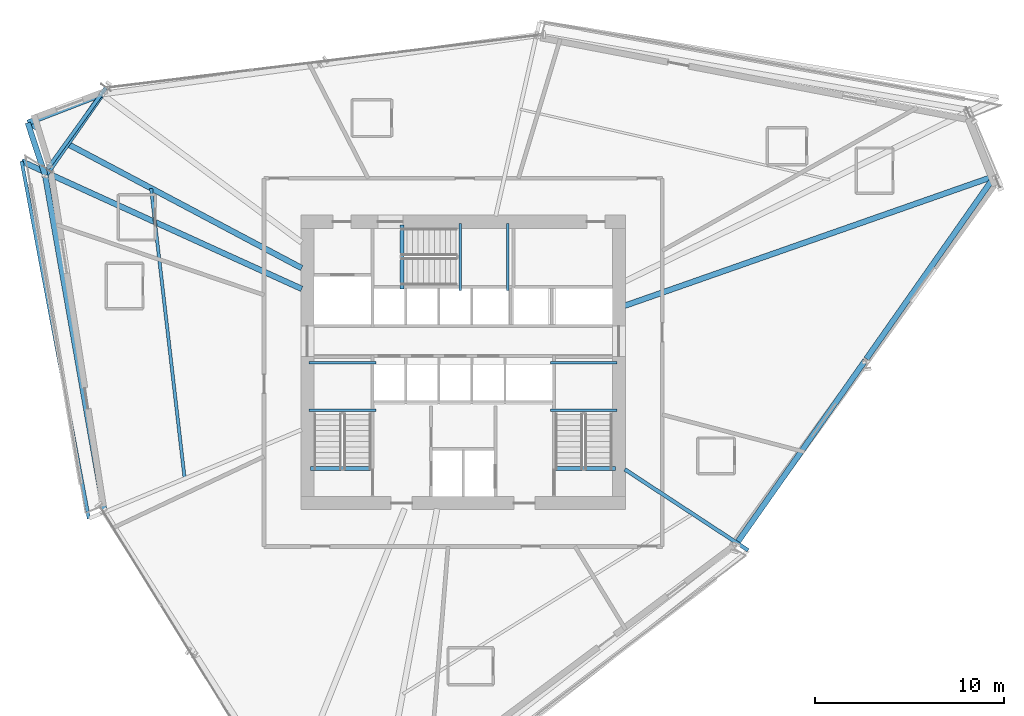
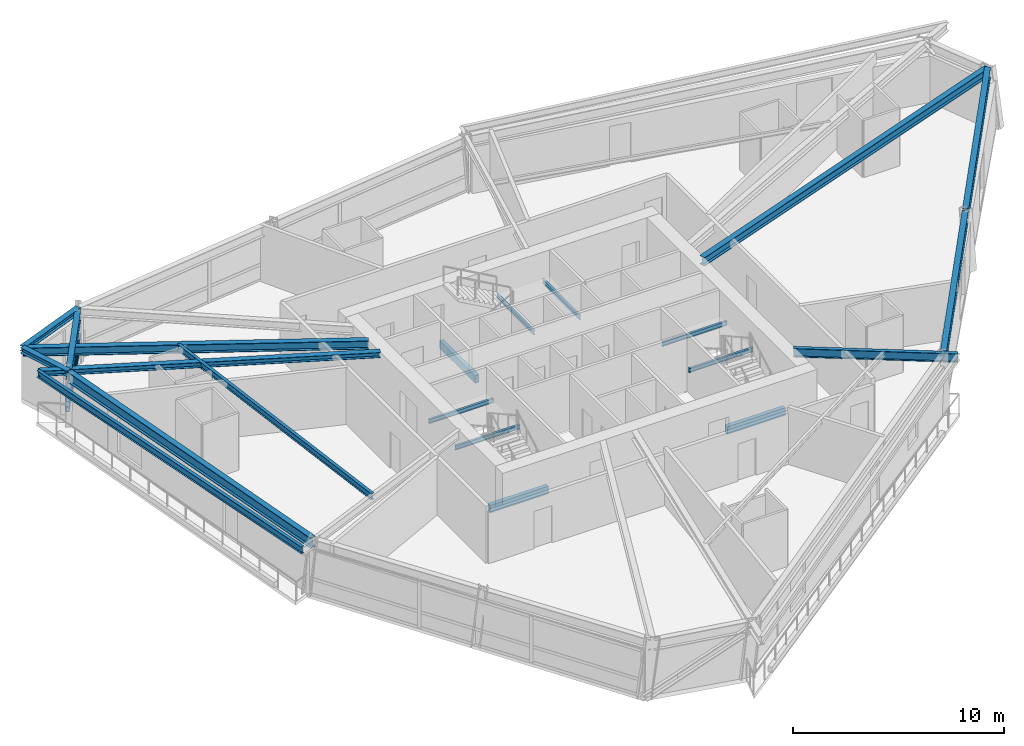
# One storey, part 5 of 18: 21 beams, 2 members.
"""IFC4 building model written with IfcOpenShell, lengths in metres."""

from ifc_helpers import new_model, si_unit, direction, frame, origin, origin_2d, place, context, subcontext, project, spatial, rectangle, hollow_rectangle, i_section, extrude, source, transform, mapped, material, material_profile, profile_set, type_object, element, save


model = new_model("IFC4")

# Units and contexts
model_context = context("Model", 3, precision=1e-05, world=origin(), true_north=direction((0.0, 1.0)))
body_context = subcontext(model_context, "Body", "Model", "MODEL_VIEW")
ifc_project = project(units=[si_unit("LENGTHUNIT", "METRE"), si_unit("AREAUNIT", "SQUARE_METRE"), si_unit("VOLUMEUNIT", "CUBIC_METRE"), si_unit("PLANEANGLEUNIT", "RADIAN"), si_unit("MASSUNIT", "GRAM", prefix="KILO")], contexts=[model_context])

# Site, building, storey
site_placement = place(None, origin())
site = spatial("IfcSite", under=ifc_project, at=site_placement, CompositionType="ELEMENT")
building_placement = place(site_placement, origin())
building = spatial("IfcBuilding", under=site, at=building_placement, Name="Olszyna Solenne Hotel", CompositionType="ELEMENT")
storey_placement = place(building_placement, frame((0.0, 0.0, 123.449951171875)))
storey = spatial("IfcBuildingStorey", under=building, at=storey_placement, Name="L32", CompositionType="ELEMENT", Elevation=123.449951171875)

# Beams
ifc_material_1 = material(Name="Steel S355J2", Category="steel")
ifc_material_profile_1 = material_profile(ifc_material_1, i_section(OverallWidth=0.300048828125, OverallDepth=0.60009765625, WebThickness=0.015380859375, FlangeThickness=0.030029296875, at=origin_2d()), Name="HEB 600", Category="load-bearing")
ifc_profile_set_1 = profile_set([ifc_material_profile_1], Name="Steel S355J2")
beam_type_1 = type_object("IfcBeamType", Name="BM-S2", PredefinedType="BEAM", material=ifc_profile_set_1)
shared_shape_1 = source(origin(), body_context, "Body", "SweptSolid", [
    extrude(i_section(OverallWidth=0.300048828125, OverallDepth=0.60009765625, WebThickness=0.015380859375, FlangeThickness=0.030029296875, at=origin_2d()), origin(), (0.0, 0.0, 1.0), 5.131103515625),
])
beam_1_placement = place(storey_placement, frame((18.82666015625, 40.759521484375, 3.0), z_axis=(-0.572101214503, -0.820183028576, 0.0), x_axis=(0.820183028576, -0.572101214503, 0.0)))
element("IfcBeam", 1, at=beam_1_placement, inside=storey, type_object=beam_type_1, Name="Perimeter spandrel beam BM-S2 B-L32-0961", PredefinedType="BEAM", context=body_context, shape_type="MappedRepresentation", body=[
    mapped(shared_shape_1, transform((0.0, 0.0, 0.0), x_axis=(1.0, 0.0, 0.0), y_axis=(0.0, 1.0, 0.0), z_axis=(0.0, 0.0, 1.0), scale=1.0)),
])
shared_shape_2 = source(origin(), body_context, "Body", "SweptSolid", [
    extrude(i_section(OverallWidth=0.300048828125, OverallDepth=0.60009765625, WebThickness=0.015380859375, FlangeThickness=0.030029296875, at=origin_2d()), origin(), (0.0, 0.0, 1.0), 17.98095703125),
])
beam_2_placement = place(storey_placement, frame((15.8671875, 36.44287109375, 3.0), z_axis=(0.173252403594, -0.984877456666, 0.0), x_axis=(0.984877456666, 0.173252403594, 0.0)))
element("IfcBeam", 2, at=beam_2_placement, inside=storey, type_object=beam_type_1, Name="Perimeter spandrel beam BM-S2 B-L32-0962", PredefinedType="BEAM", context=body_context, shape_type="MappedRepresentation", body=[
    mapped(shared_shape_2, transform((0.0, 0.0, 0.0), x_axis=(1.0, 0.0, 0.0), y_axis=(0.0, 1.0, 0.0), z_axis=(0.0, 0.0, 1.0), scale=1.0)),
])
shared_shape_3 = source(origin(), body_context, "Body", "SweptSolid", [
    extrude(i_section(OverallWidth=0.300048828125, OverallDepth=0.60009765625, WebThickness=0.015380859375, FlangeThickness=0.030029296875, at=origin_2d()), origin(), (0.0, 0.0, 1.0), 11.775146484375),
])
beam_3_placement = place(storey_placement, frame((52.52099609375, 17.058837890625, 3.0), z_axis=(0.574944766448, 0.818192224074, 0.0), x_axis=(-0.818192224074, 0.574944766448, 0.0)))
element("IfcBeam", 3, at=beam_3_placement, inside=storey, type_object=beam_type_1, Name="Perimeter spandrel beam BM-S2 B-L32-0967", PredefinedType="BEAM", context=body_context, shape_type="MappedRepresentation", body=[
    mapped(shared_shape_3, transform((0.0, 0.0, 0.0), x_axis=(1.0, 0.0, 0.0), y_axis=(0.0, 1.0, 0.0), z_axis=(0.0, 0.0, 1.0), scale=1.0)),
])
shared_shape_4 = source(origin(), body_context, "Body", "SweptSolid", [
    extrude(i_section(OverallWidth=0.300048828125, OverallDepth=0.60009765625, WebThickness=0.015380859375, FlangeThickness=0.030029296875, at=origin_2d()), origin(), (0.0, 0.0, 1.0), 11.77490234375),
])
beam_4_placement = place(storey_placement, frame((59.360107421875, 26.791259765625, 3.0), z_axis=(0.57493088628, 0.81820197751, 0.0), x_axis=(-0.81820197751, 0.57493088628, 0.0)))
element("IfcBeam", 4, at=beam_4_placement, inside=storey, type_object=beam_type_1, Name="Perimeter spandrel beam BM-S2 B-L32-0968", PredefinedType="BEAM", context=body_context, shape_type="MappedRepresentation", body=[
    mapped(shared_shape_4, transform((0.0, 0.0, 0.0), x_axis=(1.0, 0.0, 0.0), y_axis=(0.0, 1.0, 0.0), z_axis=(0.0, 0.0, 1.0), scale=1.0)),
])
ifc_material_profile_2 = material_profile(ifc_material_1, i_section(OverallWidth=0.300048828125, OverallDepth=0.489990234375, WebThickness=0.011962890625, FlangeThickness=0.02294921875, at=origin_2d()), Name="HEA 500", Category="load-bearing")
ifc_profile_set_2 = profile_set([ifc_material_profile_2], Name="Steel S355J2")
beam_type_2 = type_object("IfcBeamType", Name="BM-G1", PredefinedType="BEAM", material=ifc_profile_set_2)
shared_shape_5 = source(origin(), body_context, "Body", "SweptSolid", [
    extrude(i_section(OverallWidth=0.300048828125, OverallDepth=0.489990234375, WebThickness=0.011962890625, FlangeThickness=0.02294921875, at=origin_2d()), origin(), (0.0, 0.0, 1.0), 20.72216796875),
])
beam_5_placement = place(storey_placement, frame((66.10791015625, 36.454833984375, 3.054931640625), z_axis=(-0.943679316692, -0.330861522768, 0.0), x_axis=(0.330861522768, -0.943679316692, 0.0)))
element("IfcBeam", 5, at=beam_5_placement, inside=storey, type_object=beam_type_2, Name="Radial floor girder BM-G1 B-L32-0969", PredefinedType="BEAM", context=body_context, shape_type="MappedRepresentation", body=[
    mapped(shared_shape_5, transform((0.0, 0.0, 0.0), x_axis=(1.0, 0.0, 0.0), y_axis=(0.0, 1.0, 0.0), z_axis=(0.0, 0.0, 1.0), scale=1.0)),
])
shared_shape_6 = source(origin(), body_context, "Body", "SweptSolid", [
    extrude(i_section(OverallWidth=0.300048828125, OverallDepth=0.489990234375, WebThickness=0.011962890625, FlangeThickness=0.02294921875, at=origin_2d()), origin(), (0.0, 0.0, 1.0), 16.39990234375),
])
beam_6_placement = place(storey_placement, frame((14.953857421875, 39.280029296875, 3.054931640625), z_axis=(0.883495522196, -0.468439603642, 0.0), x_axis=(0.468439603642, 0.883495522196, 0.0)))
element("IfcBeam", 6, at=beam_6_placement, inside=storey, type_object=beam_type_2, Name="Radial floor girder BM-G1 B-L32-0973", PredefinedType="BEAM", context=body_context, shape_type="MappedRepresentation", body=[
    mapped(shared_shape_6, transform((0.0, 0.0, 0.0), x_axis=(1.0, 0.0, 0.0), y_axis=(0.0, 1.0, 0.0), z_axis=(0.0, 0.0, 1.0), scale=1.0)),
])
ifc_material_profile_3 = material_profile(ifc_material_1, i_section(OverallWidth=0.199951171875, OverallDepth=0.5, WebThickness=0.01025390625, FlangeThickness=0.01611328125, at=origin_2d()), Name="IPE 500", Category="load-bearing")
ifc_profile_set_3 = profile_set([ifc_material_profile_3], Name="Steel S355J2")
beam_type_3 = type_object("IfcBeamType", Name="BM-F3", PredefinedType="BEAM", material=ifc_profile_set_3)
shared_shape_7 = source(origin(), body_context, "Body", "SweptSolid", [
    extrude(i_section(OverallWidth=0.199951171875, OverallDepth=0.5, WebThickness=0.01025390625, FlangeThickness=0.01611328125, at=origin_2d()), origin(), (0.0, 0.0, 1.0), 7.814453125),
])
beam_7_placement = place(storey_placement, frame((53.09228515625, 16.647705078125, 3.050048828125), z_axis=(-0.836122691317, 0.548542473346, 0.0), x_axis=(-0.548542473346, -0.836122691317, 0.0)))
element("IfcBeam", 7, at=beam_7_placement, inside=storey, type_object=beam_type_3, Name="Radial floor girder BM-F3 B-L32-0977", PredefinedType="BEAM", context=body_context, shape_type="MappedRepresentation", body=[
    mapped(shared_shape_7, transform((0.0, 0.0, 0.0), x_axis=(1.0, 0.0, 0.0), y_axis=(0.0, 1.0, 0.0), z_axis=(0.0, 0.0, 1.0), scale=1.0)),
])
ifc_material_profile_4 = material_profile(ifc_material_1, i_section(OverallWidth=0.300048828125, OverallDepth=0.31005859375, WebThickness=0.009033203125, FlangeThickness=0.015380859375, at=origin_2d()), Name="HEA 320", Category="load-bearing")
ifc_profile_set_4 = profile_set([ifc_material_profile_4], Name="Steel S355J2")
beam_type_4 = type_object("IfcBeamType", Name="BM-G3", PredefinedType="BEAM", material=ifc_profile_set_4)
shared_shape_8 = source(origin(), body_context, "Body", "SweptSolid", [
    extrude(i_section(OverallWidth=0.300048828125, OverallDepth=0.31005859375, WebThickness=0.009033203125, FlangeThickness=0.015380859375, at=origin_2d()), origin(), (0.0, 0.0, 1.0), 4.208740234375),
])
beam_8_placement = place(storey_placement, frame((18.861083984375, 40.80859375, 3.14501953125), z_axis=(-0.932594553715, -0.360925751895, 0.0), x_axis=(0.360925751895, -0.932594553715, 0.0)))
element("IfcBeam", 8, at=beam_8_placement, inside=storey, type_object=beam_type_4, Name="Prism side edge beam BM-G3 B-L32-0978", PredefinedType="BEAM", context=body_context, shape_type="MappedRepresentation", body=[
    mapped(shared_shape_8, transform((0.0, 0.0, 0.0), x_axis=(1.0, 0.0, 0.0), y_axis=(0.0, 1.0, 0.0), z_axis=(0.0, 0.0, 1.0), scale=1.0)),
])
shared_shape_9 = source(origin(), body_context, "Body", "SweptSolid", [
    extrude(i_section(OverallWidth=0.300048828125, OverallDepth=0.31005859375, WebThickness=0.009033203125, FlangeThickness=0.015380859375, at=origin_2d()), origin(), (0.0, 0.0, 1.0), 2.935791015625),
])
beam_9_placement = place(storey_placement, frame((15.856689453125, 36.501953125, 3.14501953125), z_axis=(-0.313606932093, 0.949552890651, 0.0), x_axis=(-0.949552890651, -0.313606932093, 0.0)))
element("IfcBeam", 9, at=beam_9_placement, inside=storey, type_object=beam_type_4, Name="Prism side edge beam BM-G3 B-L32-0979", PredefinedType="BEAM", context=body_context, shape_type="MappedRepresentation", body=[
    mapped(shared_shape_9, transform((0.0, 0.0, 0.0), x_axis=(1.0, 0.0, 0.0), y_axis=(0.0, 1.0, 0.0), z_axis=(0.0, 0.0, 1.0), scale=1.0)),
])
shared_shape_10 = source(origin(), body_context, "Body", "SweptSolid", [
    extrude(i_section(OverallWidth=0.300048828125, OverallDepth=0.31005859375, WebThickness=0.009033203125, FlangeThickness=0.015380859375, at=origin_2d()), origin(), (0.0, 0.0, 1.0), 16.299072265625),
])
beam_10_placement = place(storey_placement, frame((14.611572265625, 37.248291015625, 3.14501953125), z_axis=(0.910113411533, -0.414359238039, 0.0), x_axis=(0.414359238039, 0.910113411533, 0.0)))
element("IfcBeam", 10, at=beam_10_placement, inside=storey, type_object=beam_type_4, Name="Loggia/prism radial back-span girder BM-G3 B-L32-0980", PredefinedType="BEAM", context=body_context, shape_type="MappedRepresentation", body=[
    mapped(shared_shape_10, transform((0.0, 0.0, 0.0), x_axis=(1.0, 0.0, 0.0), y_axis=(0.0, 1.0, 0.0), z_axis=(0.0, 0.0, 1.0), scale=1.0)),
])
ifc_material_profile_5 = material_profile(ifc_material_1, i_section(OverallWidth=0.169921875, OverallDepth=0.360107421875, WebThickness=0.008056640625, FlangeThickness=0.0126953125, at=origin_2d()), Name="IPE 360", Category="load-bearing")
ifc_profile_set_5 = profile_set([ifc_material_profile_5], Name="Steel S355J2")
beam_type_5 = type_object("IfcBeamType", Name="JS-01", PredefinedType="JOIST", material=ifc_profile_set_5)
shared_shape_11 = source(origin(), body_context, "Body", "SweptSolid", [
    extrude(i_section(OverallWidth=0.169921875, OverallDepth=0.360107421875, WebThickness=0.008056640625, FlangeThickness=0.0126953125, at=origin_2d()), origin(), (0.0, 0.0, 1.0), 15.445556640625),
])
beam_11_placement = place(storey_placement, frame((21.466552734375, 35.80810546875, 3.1201171875), z_axis=(0.115039867163, -0.993360875494, 0.0), x_axis=(0.993360875494, 0.115039867163, 0.0)))
element("IfcBeam", 11, at=beam_11_placement, inside=storey, type_object=beam_type_5, Name="Secondary composite floor joist JS-01 B-L32-0982", PredefinedType="JOIST", context=body_context, shape_type="MappedRepresentation", body=[
    mapped(shared_shape_11, transform((0.0, 0.0, 0.0), x_axis=(1.0, 0.0, 0.0), y_axis=(0.0, 1.0, 0.0), z_axis=(0.0, 0.0, 1.0), scale=1.0)),
])
ifc_material_profile_6 = material_profile(ifc_material_1, i_section(OverallWidth=0.179931640625, OverallDepth=0.39990234375, WebThickness=0.008544921875, FlangeThickness=0.013427734375, at=origin_2d()), Name="IPE 400", Category="load-bearing")
ifc_profile_set_6 = profile_set([ifc_material_profile_6], Name="Steel S355J2")
beam_type_6 = type_object("IfcBeamType", Name="BM-F5", PredefinedType="BEAM", material=ifc_profile_set_6)
shared_shape_12 = source(origin(), body_context, "Body", "SweptSolid", [
    extrude(i_section(OverallWidth=0.179931640625, OverallDepth=0.39990234375, WebThickness=0.008544921875, FlangeThickness=0.013427734375, at=origin_2d()), origin(), (0.0, 0.0, 1.0), 19.252685546875),
])
beam_12_placement = place(storey_placement, frame((14.611572265625, 37.248291015625, 3.10009765625), z_axis=(0.18496378602, -0.982745337237, 0.0), x_axis=(0.982745337237, 0.18496378602, 0.0)))
element("IfcBeam", 12, at=beam_12_placement, inside=storey, type_object=beam_type_6, Name="Loggia outer edge beam BM-F5 B-L32-0985", PredefinedType="BEAM", context=body_context, shape_type="MappedRepresentation", body=[
    mapped(shared_shape_12, transform((0.0, 0.0, 0.0), x_axis=(1.0, 0.0, 0.0), y_axis=(0.0, 1.0, 0.0), z_axis=(0.0, 0.0, 1.0), scale=1.0)),
])

# Members
ifc_material_profile_7 = material_profile(ifc_material_1, hollow_rectangle(XDim=0.199951171875, YDim=0.300048828125, WallThickness=0.01611328125, at=origin_2d()), Name="RHS 300x200x16", Category="load-bearing")
ifc_profile_set_7 = profile_set([ifc_material_profile_7], Name="Steel S355J2")
member_type = type_object("IfcMemberType", Name="CH-PR1", PredefinedType="CHORD", material=ifc_profile_set_7)
shared_shape_13 = source(origin(), body_context, "Body", "SweptSolid", [
    extrude(hollow_rectangle(XDim=0.199951171875, YDim=0.300048828125, WallThickness=0.01611328125, at=origin_2d()), origin(), (0.0, 0.0, 1.0), 5.30419921875),
])
for number, where, z_axis, x_axis, name in (
    (13, (19.0732421875, 41.143798828125, 1.35009765625), (-0.584915671576, -0.811094111152, 0.0), (0.811094111152, -0.584915671576, 0.0), "Glass-prism tie chord CH-PR1 M-L32-PR1"),
    (14, (19.0732421875, 41.143798828125, 0.780029296875), (-0.584915671576, -0.811094111152, 0.0), (0.811094111152, -0.584915671576, 0.0), "Glass-prism tie chord CH-PR1 M-L32-PR2"),
):
    element("IfcMember", number, at=place(storey_placement, frame(where, z_axis=z_axis, x_axis=x_axis)), inside=storey, type_object=member_type, Name=name, PredefinedType="CHORD", context=body_context, shape_type="MappedRepresentation", body=[
        mapped(shared_shape_13, transform((0.0, 0.0, 0.0), x_axis=(1.0, 0.0, 0.0), y_axis=(0.0, 1.0, 0.0), z_axis=(0.0, 0.0, 1.0), scale=1.0)),
    ])

# Beams
ifc_material_profile_8 = material_profile(ifc_material_1, i_section(OverallWidth=0.1201171875, OverallDepth=0.239990234375, WebThickness=0.006103515625, FlangeThickness=0.009765625, at=origin_2d()), Name="IPE 240", Category="load-bearing")
ifc_profile_set_8 = profile_set([ifc_material_profile_8], Name="Steel S355J2")
beam_type_7 = type_object("IfcBeamType", Name="JS-03", PredefinedType="JOIST", material=ifc_profile_set_8)
shared_shape_14 = source(origin(), body_context, "Body", "SweptSolid", [
    extrude(i_section(OverallWidth=0.1201171875, OverallDepth=0.239990234375, WebThickness=0.006103515625, FlangeThickness=0.009765625, at=origin_2d()), origin(), (0.0, 0.0, 1.0), 3.539794921875),
])
for number, where, z_axis, x_axis, name in (
    (15, (33.3798828125, 24.070068359375, 1.449951171875), (-1.0, 0.0, 0.0), (0.0, -1.0, 0.0), "Stair landing support beam JS-03 SLB-ST1-0069"),
    (16, (33.3798828125, 26.580078125, 1.449951171875), (-1.0, 0.0, 0.0), (0.0, -1.0, 0.0), "Stair landing support beam JS-03 SLB-ST1-0070"),
    (17, (46.159912109375, 24.070068359375, 1.449951171875), (-1.0, 0.0, 0.0), (0.0, -1.0, 0.0), "Stair landing support beam JS-03 SLB-ST2-0309"),
    (18, (46.159912109375, 26.580078125, 1.449951171875), (-1.0, 0.0, 0.0), (0.0, -1.0, 0.0), "Stair landing support beam JS-03 SLB-ST2-0310"),
):
    element("IfcBeam", number, at=place(storey_placement, frame(where, z_axis=z_axis, x_axis=x_axis)), inside=storey, type_object=beam_type_7, Name=name, PredefinedType="JOIST", context=body_context, shape_type="MappedRepresentation", body=[
        mapped(shared_shape_14, transform((0.0, 0.0, 0.0), x_axis=(1.0, 0.0, 0.0), y_axis=(0.0, 1.0, 0.0), z_axis=(0.0, 0.0, 1.0), scale=1.0)),
    ])
ifc_material_2 = material(Name="Concrete C50/60", Category="concrete")
ifc_material_profile_9 = material_profile(ifc_material_2, rectangle(XDim=0.219970703125, YDim=0.43994140625, at=origin_2d()), Name="RC 220x440", Category="load-bearing")
ifc_profile_set_9 = profile_set([ifc_material_profile_9], Name="Concrete C50/60")
beam_type_8 = type_object("IfcBeamType", Name="BM-ST1", PredefinedType="BEAM", material=ifc_profile_set_9)
shared_shape_15 = source(origin(), body_context, "Body", "SweptSolid", [
    extrude(rectangle(XDim=0.219970703125, YDim=0.43994140625, at=origin_2d()), origin(), (0.0, 0.0, 1.0), 3.18017578125),
])
for number, where, z_axis, x_axis, name in (
    (19, (33.10009765625, 20.97998046875, -0.204833984375), (-1.0, 0.0, 0.0), (0.0, -1.0, 0.0), "Concrete stair trimmer beam BM-ST1 SHB-ST1-0194"),
    (20, (46.080078125, 20.97998046875, -0.204833984375), (-1.0, 0.0, 0.0), (0.0, -1.0, 0.0), "Concrete stair trimmer beam BM-ST1 SHB-ST2-0434"),
):
    element("IfcBeam", number, at=place(storey_placement, frame(where, z_axis=z_axis, x_axis=x_axis)), inside=storey, type_object=beam_type_8, Name=name, PredefinedType="BEAM", context=body_context, shape_type="MappedRepresentation", body=[
        mapped(shared_shape_15, transform((0.0, 0.0, 0.0), x_axis=(1.0, 0.0, 0.0), y_axis=(0.0, 1.0, 0.0), z_axis=(0.0, 0.0, 1.0), scale=1.0)),
    ])
shared_shape_16 = source(origin(), body_context, "Body", "SweptSolid", [
    extrude(i_section(OverallWidth=0.1201171875, OverallDepth=0.239990234375, WebThickness=0.006103515625, FlangeThickness=0.009765625, at=origin_2d()), origin(), (0.0, 0.0, 1.0), 3.5400390625),
])
for number, where, z_axis, x_axis, name in (
    (21, (37.85009765625, 30.419921875, 1.449951171875), (0.0, 1.0, 0.0), (-1.0, 0.0, 0.0), "Stair landing support beam JS-03 SLB-ST3-0549"),
    (22, (40.360107421875, 30.419921875, 1.449951171875), (0.0, 1.0, 0.0), (-1.0, 0.0, 0.0), "Stair landing support beam JS-03 SLB-ST3-0550"),
):
    element("IfcBeam", number, at=place(storey_placement, frame(where, z_axis=z_axis, x_axis=x_axis)), inside=storey, type_object=beam_type_7, Name=name, PredefinedType="JOIST", context=body_context, shape_type="MappedRepresentation", body=[
        mapped(shared_shape_16, transform((0.0, 0.0, 0.0), x_axis=(1.0, 0.0, 0.0), y_axis=(0.0, 1.0, 0.0), z_axis=(0.0, 0.0, 1.0), scale=1.0)),
    ])
shared_shape_17 = source(origin(), body_context, "Body", "SweptSolid", [
    extrude(rectangle(XDim=0.219970703125, YDim=0.43994140625, at=origin_2d()), origin(), (0.0, 0.0, 1.0), 3.3798828125),
])
beam_13_placement = place(storey_placement, frame((34.760009765625, 30.5, -0.204833984375), z_axis=(0.0, 1.0, 0.0), x_axis=(-1.0, 0.0, 0.0)))
element("IfcBeam", 23, at=beam_13_placement, inside=storey, type_object=beam_type_8, Name="Concrete stair trimmer beam BM-ST1 SHB-ST3-0672", PredefinedType="BEAM", context=body_context, shape_type="MappedRepresentation", body=[
    mapped(shared_shape_17, transform((0.0, 0.0, 0.0), x_axis=(1.0, 0.0, 0.0), y_axis=(0.0, 1.0, 0.0), z_axis=(0.0, 0.0, 1.0), scale=1.0)),
])

save(model, "model.ifc")
